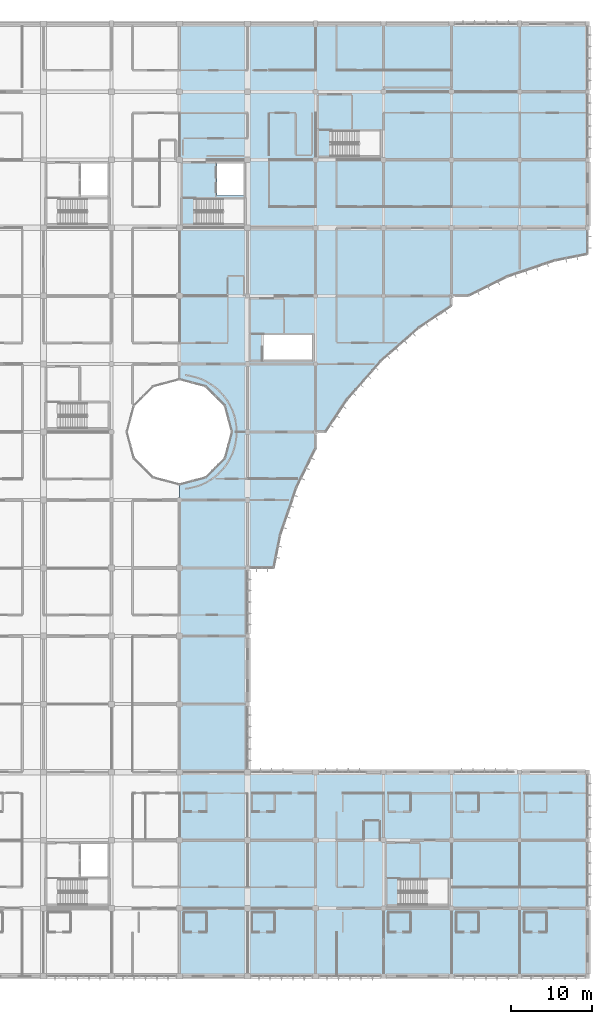
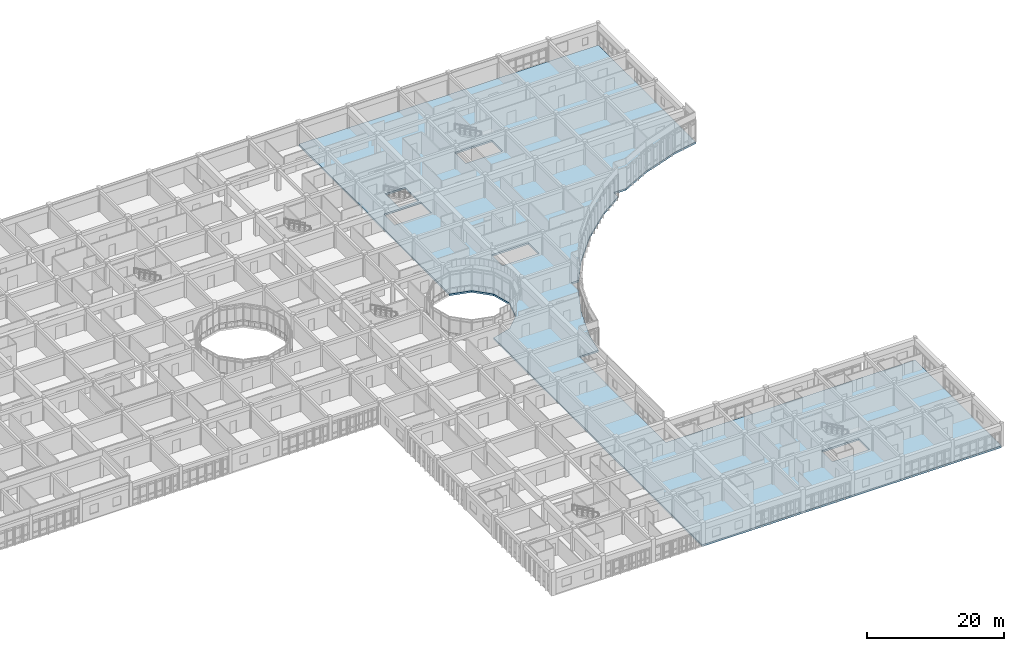
# One storey, part 72 of 119: 1 slab.
"""IFC4 building model written with IfcOpenShell, lengths in metres."""

from ifc_helpers import new_model, si_unit, direction, frame, origin, place, context, subcontext, project, spatial, polyline, outline, extrude, material, layer, layer_set, type_object, element, save


model = new_model("IFC4")

# Units and contexts
model_context = context("Model", 3, precision=1e-05, world=origin(), true_north=direction((0.0, 1.0)))
body_context = subcontext(model_context, "Body", "Model", "MODEL_VIEW")
ifc_project = project(units=[si_unit("LENGTHUNIT", "METRE"), si_unit("AREAUNIT", "SQUARE_METRE"), si_unit("VOLUMEUNIT", "CUBIC_METRE"), si_unit("PLANEANGLEUNIT", "RADIAN"), si_unit("MASSUNIT", "GRAM", prefix="KILO")], contexts=[model_context])

# Site, building, storey
site_placement = place(None, origin())
site = spatial("IfcSite", under=ifc_project, at=site_placement, CompositionType="ELEMENT")
building_placement = place(site_placement, origin())
building = spatial("IfcBuilding", under=site, at=building_placement, Name="Bramfleet General Hospital", CompositionType="ELEMENT")
storey_placement = place(building_placement, frame((0.0, 0.0, 14.39990234375)))
storey = spatial("IfcBuildingStorey", under=building, at=storey_placement, Name="L03", CompositionType="ELEMENT", Elevation=14.39990234375)

# Slab
ifc_material = material(Name="Concrete C35/45", Category="concrete")
ifc_layer = layer(ifc_material, 0.320068359375, Name="SL-FLR-320")
ifc_layer_set = layer_set([ifc_layer], Name="Concrete C35/45")
slab_type = type_object("IfcSlabType", Name="SL-FLR-320", PredefinedType="FLOOR", material=ifc_layer_set)
slab_placement = place(storey_placement, frame((0.0, 0.0, -0.31982421875)))
element("IfcSlab", 1, at=slab_placement, inside=storey, type_object=slab_type, Name="L03 Structural Floor Slab (EAST)", PredefinedType="FLOOR", context=body_context, shape_type="SweptSolid", body=[
    extrude(outline(polyline([(126.0, 117.60009765625), (134.39990234375, 117.60009765625), (142.800048828125, 117.60009765625), (151.199951171875, 117.60009765625), (159.60009765625, 117.60009765625), (168.0, 117.60009765625), (168.0, 109.199951171875), (168.0, 100.800048828125), (168.0, 92.39990234375), (168.0, 89.164794921875), (163.976806640625, 88.364501953125), (158.03125, 86.34619140625), (153.273681640625, 84.0), (151.199951171875, 84.0), (151.199951171875, 82.767333984375), (147.179443359375, 80.0810546875), (142.458984375, 75.941162109375), (138.319091796875, 71.220458984375), (135.632568359375, 67.199951171875), (134.39990234375, 67.199951171875), (134.39990234375, 65.12646484375), (132.0537109375, 60.368896484375), (130.03564453125, 54.42333984375), (129.2353515625, 50.39990234375), (126.0, 50.39990234375), (126.0, 42.0), (126.0, 33.60009765625), (126.0, 25.199951171875), (131.521240234375, 25.199951171875), (168.0, 25.199951171875), (168.0, 16.800048828125), (168.0, 8.39990234375), (168.0, 0.0), (159.60009765625, 0.0), (151.199951171875, 0.0), (142.800048828125, 0.0), (134.39990234375, 0.0), (126.0, 0.0), (117.60009765625, 0.0), (117.60009765625, 60.800048828125), (120.800048828125, 61.657470703125), (123.142578125, 64.0), (124.0, 67.199951171875), (123.142578125, 70.39990234375), (120.800048828125, 72.74267578125), (117.60009765625, 73.60009765625), (117.60009765625, 117.60009765625), (126.0, 117.60009765625)]), holes=[polyline([(119.43994140625, 92.820068359375), (125.659912109375, 92.820068359375), (125.659912109375, 95.97998046875), (119.43994140625, 95.97998046875), (119.43994140625, 92.820068359375)]), polyline([(122.219970703125, 96.39990234375), (125.550048828125, 96.39990234375), (125.550048828125, 100.35009765625), (122.219970703125, 100.35009765625), (122.219970703125, 96.39990234375)]), polyline([(136.239990234375, 101.219970703125), (142.4599609375, 101.219970703125), (142.4599609375, 104.3798828125), (136.239990234375, 104.3798828125), (136.239990234375, 101.219970703125)]), polyline([(144.639892578125, 8.820068359375), (150.860107421875, 8.820068359375), (150.860107421875, 11.97998046875), (144.639892578125, 11.97998046875), (144.639892578125, 8.820068359375)]), polyline([(127.840087890625, 76.02001953125), (134.06005859375, 76.02001953125), (134.06005859375, 79.179931640625), (127.840087890625, 79.179931640625), (127.840087890625, 76.02001953125)])]), origin(), (0.0, 0.0, 1.0), 0.31982421875),
])

save(model, "model.ifc")
